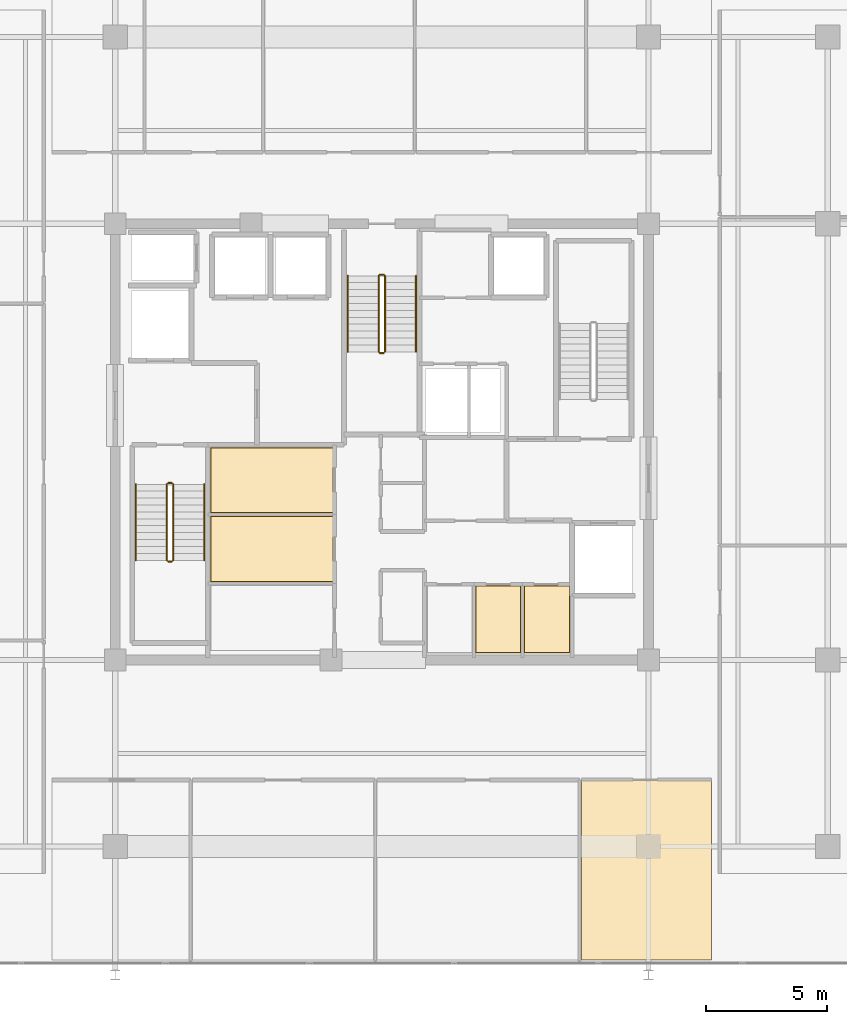
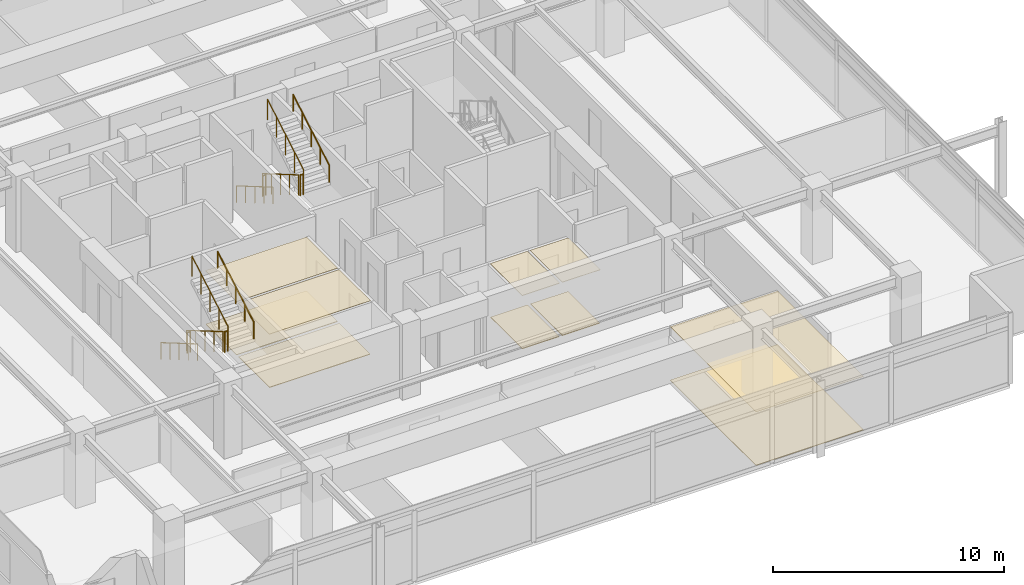
# One storey, part 18 of 20: 12 railings, 10 coverings.
"""IFC4 building model written with IfcOpenShell, lengths in metres."""

from ifc_helpers import new_model, si_unit, direction, frame, origin, origin_2d, place, context, subcontext, project, spatial, polyline, circle, outline, extrude, material, layer, layer_set, type_object, element, save


model = new_model("IFC4")

# Units and contexts
model_context = context("Model", 3, precision=1e-05, world=origin(), true_north=direction((0.0, 1.0)))
body_context = subcontext(model_context, "Body", "Model", "MODEL_VIEW")
ifc_project = project(units=[si_unit("LENGTHUNIT", "METRE"), si_unit("AREAUNIT", "SQUARE_METRE"), si_unit("VOLUMEUNIT", "CUBIC_METRE"), si_unit("PLANEANGLEUNIT", "RADIAN"), si_unit("MASSUNIT", "GRAM", prefix="KILO")], contexts=[model_context])

# Site, building, storey
site_placement = place(None, origin())
site = spatial("IfcSite", under=ifc_project, at=site_placement, CompositionType="ELEMENT")
building_placement = place(site_placement, origin())
building = spatial("IfcBuilding", under=site, at=building_placement, Name="Kovane Verandah Tower", CompositionType="ELEMENT")
storey_placement = place(building_placement, frame((0.0, 0.0, 330.800048828125)))
storey = spatial("IfcBuildingStorey", under=building, at=storey_placement, Name="L77", CompositionType="ELEMENT", Elevation=330.800048828125)

# Coverings
ifc_material_1 = material(Name="Perforated Acoustic Mineral-Fibre Ceiling Tile", Category="gypsum")
ifc_layer_1 = layer(ifc_material_1, 0.02490234375)
ifc_layer_set_1 = layer_set([ifc_layer_1], Name="Perforated Acoustic Mineral-Fibre Ceiling Tile")
covering_type_1 = type_object("IfcCoveringType", Name="CV-CEIL-25", PredefinedType="CEILING", material=ifc_layer_set_1)
covering_1_placement = place(storey_placement, frame((0.0, 0.0, 2.824951171875)))
element("IfcCovering", 1, at=covering_1_placement, inside=storey, type_object=covering_type_1, Name="L77 First Aid and Wellness Room Acoustic Ceiling", PredefinedType="CEILING", context=body_context, shape_type="SweptSolid", body=[
    extrude(outline(polyline([(32.93505859375, 21.72509765625), (37.9951171875, 21.72509765625), (37.9951171875, 24.43505859375), (32.93505859375, 24.43505859375), (32.93505859375, 21.72509765625)])), origin(), (0.0, 0.0, 1.0), 0.02490234375),
])
covering_2_placement = place(storey_placement, frame((0.0, 0.0, 2.824951171875)))
element("IfcCovering", 2, at=covering_2_placement, inside=storey, type_object=covering_type_1, Name="L77 Tea and Copy Hub Acoustic Ceiling", PredefinedType="CEILING", context=body_context, shape_type="SweptSolid", body=[
    extrude(outline(polyline([(32.93505859375, 24.56494140625), (37.9951171875, 24.56494140625), (37.9951171875, 27.264892578125), (32.93505859375, 27.264892578125), (32.93505859375, 24.56494140625)])), origin(), (0.0, 0.0, 1.0), 0.02490234375),
])
covering_3_placement = place(storey_placement, frame((0.0, 0.0, 2.824951171875)))
element("IfcCovering", 3, at=covering_3_placement, inside=storey, type_object=covering_type_1, Name="L77 First Aid Room Acoustic Ceiling", PredefinedType="CEILING", context=body_context, shape_type="SweptSolid", body=[
    extrude(outline(polyline([(43.864990234375, 18.784912109375), (45.735107421875, 18.784912109375), (45.735107421875, 21.56494140625), (43.864990234375, 21.56494140625), (43.864990234375, 18.784912109375)])), origin(), (0.0, 0.0, 1.0), 0.02490234375),
])
covering_4_placement = place(storey_placement, frame((0.0, 0.0, 2.824951171875)))
element("IfcCovering", 4, at=covering_4_placement, inside=storey, type_object=covering_type_1, Name="L77 Quiet Wellness Room Acoustic Ceiling", PredefinedType="CEILING", context=body_context, shape_type="SweptSolid", body=[
    extrude(outline(polyline([(45.864990234375, 18.784912109375), (47.764892578125, 18.784912109375), (47.764892578125, 21.56494140625), (45.864990234375, 21.56494140625), (45.864990234375, 18.784912109375)])), origin(), (0.0, 0.0, 1.0), 0.02490234375),
])
covering_5_placement = place(storey_placement, frame((0.0, 0.0, 2.824951171875)))
element("IfcCovering", 5, at=covering_5_placement, inside=storey, type_object=covering_type_1, Name="L77 Focus Studio S4 Acoustic Ceiling", PredefinedType="CEILING", context=body_context, shape_type="SweptSolid", body=[
    extrude(outline(polyline([(48.22998046875, 6.1318359375), (53.60009765625, 6.1318359375), (53.60009765625, 13.550048828125), (48.22998046875, 13.550048828125), (48.22998046875, 6.1318359375)])), origin(), (0.0, 0.0, 1.0), 0.02490234375),
])
ifc_material_2 = material(Name="Polished Terrazzo and Raised-Access Carpet Tile Finish", Category="concrete")
ifc_layer_2 = layer(ifc_material_2, 0.030029296875)
ifc_layer_set_2 = layer_set([ifc_layer_2], Name="Polished Terrazzo and Raised-Access Carpet Tile Finish")
covering_type_2 = type_object("IfcCoveringType", Name="CV-FLOR-30", PredefinedType="FLOORING", material=ifc_layer_set_2)
covering_6_placement = place(storey_placement, origin())
element("IfcCovering", 6, at=covering_6_placement, inside=storey, type_object=covering_type_2, Name="L77 First Aid and Wellness Room Floor Finish", PredefinedType="FLOORING", context=body_context, shape_type="SweptSolid", body=[
    extrude(outline(polyline([(32.949951171875, 21.739990234375), (37.97998046875, 21.739990234375), (37.97998046875, 24.419921875), (32.949951171875, 24.419921875), (32.949951171875, 21.739990234375)])), origin(), (0.0, 0.0, 1.0), 0.030029296875),
])
covering_7_placement = place(storey_placement, origin())
element("IfcCovering", 7, at=covering_7_placement, inside=storey, type_object=covering_type_2, Name="L77 Tea and Copy Hub Floor Finish", PredefinedType="FLOORING", context=body_context, shape_type="SweptSolid", body=[
    extrude(outline(polyline([(32.949951171875, 24.580078125), (37.97998046875, 24.580078125), (37.97998046875, 27.25), (32.949951171875, 27.25), (32.949951171875, 24.580078125)])), origin(), (0.0, 0.0, 1.0), 0.030029296875),
])
covering_8_placement = place(storey_placement, origin())
element("IfcCovering", 8, at=covering_8_placement, inside=storey, type_object=covering_type_2, Name="L77 First Aid Room Floor Finish", PredefinedType="FLOORING", context=body_context, shape_type="SweptSolid", body=[
    extrude(outline(polyline([(43.8798828125, 18.800048828125), (45.719970703125, 18.800048828125), (45.719970703125, 21.550048828125), (43.8798828125, 21.550048828125), (43.8798828125, 18.800048828125)])), origin(), (0.0, 0.0, 1.0), 0.030029296875),
])
covering_9_placement = place(storey_placement, origin())
element("IfcCovering", 9, at=covering_9_placement, inside=storey, type_object=covering_type_2, Name="L77 Quiet Wellness Room Floor Finish", PredefinedType="FLOORING", context=body_context, shape_type="SweptSolid", body=[
    extrude(outline(polyline([(45.8798828125, 18.800048828125), (47.75, 18.800048828125), (47.75, 21.550048828125), (45.8798828125, 21.550048828125), (45.8798828125, 18.800048828125)])), origin(), (0.0, 0.0, 1.0), 0.030029296875),
])
covering_10_placement = place(storey_placement, origin())
element("IfcCovering", 10, at=covering_10_placement, inside=storey, type_object=covering_type_2, Name="L77 Focus Studio S4 Floor Finish", PredefinedType="FLOORING", context=body_context, shape_type="SweptSolid", body=[
    extrude(outline(polyline([(48.22998046875, 6.1318359375), (53.60009765625, 6.1318359375), (53.60009765625, 13.550048828125), (48.22998046875, 13.550048828125), (48.22998046875, 6.1318359375)])), origin(), (0.0, 0.0, 1.0), 0.030029296875),
])

# Railings
ifc_material_3 = material(Name="Brushed Stainless Steel Handrail", Category="steel")
railing_type_1 = type_object("IfcRailingType", Name="RL-HAND-920", PredefinedType="HANDRAIL", material=ifc_material_3)
railing_1_placement = place(storey_placement, frame((29.85009765625, 25.75, 0.16650390625)))
element("IfcRailing", 11, at=railing_1_placement, inside=storey, type_object=railing_type_1, Name="L77 ST-01 stair handrail 1", PredefinedType="HANDRAIL", context=body_context, shape_type="SweptSolid", body=[
    extrude(circle(Radius=0.02392578125, at=origin_2d()), frame((0.0, 0.0, 0.8759765625), z_axis=(0.0, -0.863210265497, 0.504844567704), x_axis=(1.0, 0.0, 0.0)), (0.0, 0.0, 1.0), 3.6318359375),
    extrude(circle(Radius=0.02099609375, at=origin_2d()), origin(), (0.0, 0.0, 1.0), 0.851806640625),
    extrude(circle(Radius=0.02099609375, at=origin_2d()), frame((0.0, -0.78369140625, 0.45849609375)), (0.0, 0.0, 1.0), 0.851806640625),
    extrude(circle(Radius=0.02099609375, at=origin_2d()), frame((0.0, -1.5673828125, 0.916748046875)), (0.0, 0.0, 1.0), 0.851806640625),
    extrude(circle(Radius=0.02099609375, at=origin_2d()), frame((0.0, -2.351318359375, 1.375)), (0.0, 0.0, 1.0), 0.851806640625),
    extrude(circle(Radius=0.02099609375, at=origin_2d()), frame((0.0, -3.135009765625, 1.83349609375)), (0.0, 0.0, 1.0), 0.851806640625),
])
railing_2_placement = place(storey_placement, frame((32.669921875, 22.614990234375, 2.16650390625)))
element("IfcRailing", 12, at=railing_2_placement, inside=storey, type_object=railing_type_1, Name="L77 ST-01 stair handrail 2", PredefinedType="HANDRAIL", context=body_context, shape_type="SweptSolid", body=[
    extrude(circle(Radius=0.02392578125, at=origin_2d()), frame((0.0, 0.0, 0.8759765625), z_axis=(0.0, 0.863210265497, 0.504844567704), x_axis=(-1.0, 0.0, 0.0)), (0.0, 0.0, 1.0), 3.6318359375),
    extrude(circle(Radius=0.02099609375, at=origin_2d()), origin(), (0.0, 0.0, 1.0), 0.851806640625),
    extrude(circle(Radius=0.02099609375, at=origin_2d()), frame((0.0, 0.78369140625, 0.45849609375)), (0.0, 0.0, 1.0), 0.851806640625),
    extrude(circle(Radius=0.02099609375, at=origin_2d()), frame((0.0, 1.5673828125, 0.916748046875)), (0.0, 0.0, 1.0), 0.851806640625),
    extrude(circle(Radius=0.02099609375, at=origin_2d()), frame((0.0, 2.351318359375, 1.375)), (0.0, 0.0, 1.0), 0.851806640625),
    extrude(circle(Radius=0.02099609375, at=origin_2d()), frame((0.0, 3.135009765625, 1.83349609375)), (0.0, 0.0, 1.0), 0.851806640625),
])
railing_3_placement = place(storey_placement, frame((38.590087890625, 34.35009765625, 0.16650390625)))
element("IfcRailing", 13, at=railing_3_placement, inside=storey, type_object=railing_type_1, Name="L77 ST-03 stair handrail 1", PredefinedType="HANDRAIL", context=body_context, shape_type="SweptSolid", body=[
    extrude(circle(Radius=0.02392578125, at=origin_2d()), frame((0.0, 0.0, 0.8759765625), z_axis=(0.0, -0.863210265497, 0.504844567704), x_axis=(1.0, 0.0, 0.0)), (0.0, 0.0, 1.0), 3.6318359375),
    extrude(circle(Radius=0.02099609375, at=origin_2d()), origin(), (0.0, 0.0, 1.0), 0.851806640625),
    extrude(circle(Radius=0.02099609375, at=origin_2d()), frame((0.0, -0.78369140625, 0.45849609375)), (0.0, 0.0, 1.0), 0.851806640625),
    extrude(circle(Radius=0.02099609375, at=origin_2d()), frame((0.0, -1.5673828125, 0.916748046875)), (0.0, 0.0, 1.0), 0.851806640625),
    extrude(circle(Radius=0.02099609375, at=origin_2d()), frame((0.0, -2.351318359375, 1.375)), (0.0, 0.0, 1.0), 0.851806640625),
    extrude(circle(Radius=0.02099609375, at=origin_2d()), frame((0.0, -3.135009765625, 1.83349609375)), (0.0, 0.0, 1.0), 0.851806640625),
])
railing_4_placement = place(storey_placement, frame((41.409912109375, 31.215087890625, 2.16650390625)))
element("IfcRailing", 14, at=railing_4_placement, inside=storey, type_object=railing_type_1, Name="L77 ST-03 stair handrail 2", PredefinedType="HANDRAIL", context=body_context, shape_type="SweptSolid", body=[
    extrude(circle(Radius=0.02392578125, at=origin_2d()), frame((0.0, 0.0, 0.8759765625), z_axis=(0.0, 0.863210265497, 0.504844567704), x_axis=(-1.0, 0.0, 0.0)), (0.0, 0.0, 1.0), 3.6318359375),
    extrude(circle(Radius=0.02099609375, at=origin_2d()), origin(), (0.0, 0.0, 1.0), 0.851806640625),
    extrude(circle(Radius=0.02099609375, at=origin_2d()), frame((0.0, 0.78369140625, 0.45849609375)), (0.0, 0.0, 1.0), 0.851806640625),
    extrude(circle(Radius=0.02099609375, at=origin_2d()), frame((0.0, 1.5673828125, 0.916748046875)), (0.0, 0.0, 1.0), 0.851806640625),
    extrude(circle(Radius=0.02099609375, at=origin_2d()), frame((0.0, 2.351318359375, 1.375)), (0.0, 0.0, 1.0), 0.851806640625),
    extrude(circle(Radius=0.02099609375, at=origin_2d()), frame((0.0, 3.135009765625, 1.83349609375)), (0.0, 0.0, 1.0), 0.851806640625),
])
ifc_material_4 = material(Name="Painted Steel Stairwell Guardrail", Category="steel")
railing_type_2 = type_object("IfcRailingType", Name="RL-STGUARD-1120", PredefinedType="GUARDRAIL", material=ifc_material_4)
railing_5_placement = place(storey_placement, frame((31.1298828125, 25.75, 0.16650390625)))
element("IfcRailing", 15, at=railing_5_placement, inside=storey, type_object=railing_type_2, Name="L77 ST-01 stair guard 1", PredefinedType="GUARDRAIL", context=body_context, shape_type="SweptSolid", body=[
    extrude(circle(Radius=0.02392578125, at=origin_2d()), frame((0.0, 0.0, 1.076171875), z_axis=(0.0, -0.863210265497, 0.504844567704), x_axis=(1.0, 0.0, 0.0)), (0.0, 0.0, 1.0), 3.6318359375),
    extrude(circle(Radius=0.02099609375, at=origin_2d()), origin(), (0.0, 0.0, 1.0), 1.052001953125),
    extrude(circle(Radius=0.02099609375, at=origin_2d()), frame((0.0, -0.78369140625, 0.45849609375)), (0.0, 0.0, 1.0), 1.052001953125),
    extrude(circle(Radius=0.02099609375, at=origin_2d()), frame((0.0, -1.5673828125, 0.916748046875)), (0.0, 0.0, 1.0), 1.052001953125),
    extrude(circle(Radius=0.02099609375, at=origin_2d()), frame((0.0, -2.351318359375, 1.375)), (0.0, 0.0, 1.0), 1.052001953125),
    extrude(circle(Radius=0.02099609375, at=origin_2d()), frame((0.0, -3.135009765625, 1.83349609375)), (0.0, 0.0, 1.0), 1.052001953125),
])
railing_6_placement = place(storey_placement, frame((31.179931640625, 22.56494140625, 2.0)))
element("IfcRailing", 16, at=railing_6_placement, inside=storey, type_object=railing_type_2, Name="L77 ST-01 stair guard 2", PredefinedType="GUARDRAIL", context=body_context, shape_type="SweptSolid", body=[
    extrude(circle(Radius=0.02392578125, at=origin_2d()), frame((0.0, 0.0, 1.076171875), z_axis=(1.0, 0.0, 0.0), x_axis=(0.0, 1.0, 0.0)), (0.0, 0.0, 1.0), 0.16015625),
    extrude(circle(Radius=0.02099609375, at=origin_2d()), origin(), (0.0, 0.0, 1.0), 1.052001953125),
    extrude(circle(Radius=0.02099609375, at=origin_2d()), frame((0.16015625, 0.0, 0.0)), (0.0, 0.0, 1.0), 1.052001953125),
])
railing_7_placement = place(storey_placement, frame((31.389892578125, 22.614990234375, 2.16650390625)))
element("IfcRailing", 17, at=railing_7_placement, inside=storey, type_object=railing_type_2, Name="L77 ST-01 stair guard 3", PredefinedType="GUARDRAIL", context=body_context, shape_type="SweptSolid", body=[
    extrude(circle(Radius=0.02392578125, at=origin_2d()), frame((0.0, 0.0, 1.076171875), z_axis=(0.0, 0.863210265497, 0.504844567704), x_axis=(-1.0, 0.0, 0.0)), (0.0, 0.0, 1.0), 3.6318359375),
    extrude(circle(Radius=0.02099609375, at=origin_2d()), origin(), (0.0, 0.0, 1.0), 1.052001953125),
    extrude(circle(Radius=0.02099609375, at=origin_2d()), frame((0.0, 0.78369140625, 0.45849609375)), (0.0, 0.0, 1.0), 1.052001953125),
    extrude(circle(Radius=0.02099609375, at=origin_2d()), frame((0.0, 1.5673828125, 0.916748046875)), (0.0, 0.0, 1.0), 1.052001953125),
    extrude(circle(Radius=0.02099609375, at=origin_2d()), frame((0.0, 2.351318359375, 1.375)), (0.0, 0.0, 1.0), 1.052001953125),
    extrude(circle(Radius=0.02099609375, at=origin_2d()), frame((0.0, 3.135009765625, 1.83349609375)), (0.0, 0.0, 1.0), 1.052001953125),
])
railing_8_placement = place(storey_placement, frame((31.179931640625, 25.800048828125, 0.0)))
element("IfcRailing", 18, at=railing_8_placement, inside=storey, type_object=railing_type_2, Name="L77 ST-01 stair guard 4", PredefinedType="GUARDRAIL", context=body_context, shape_type="SweptSolid", body=[
    extrude(circle(Radius=0.02392578125, at=origin_2d()), frame((0.0, 0.0, 1.076171875), z_axis=(1.0, 0.0, 0.0), x_axis=(0.0, 1.0, 0.0)), (0.0, 0.0, 1.0), 0.16015625),
    extrude(circle(Radius=0.02099609375, at=origin_2d()), origin(), (0.0, 0.0, 1.0), 1.052001953125),
    extrude(circle(Radius=0.02099609375, at=origin_2d()), frame((0.16015625, 0.0, 0.0)), (0.0, 0.0, 1.0), 1.052001953125),
])
railing_9_placement = place(storey_placement, frame((39.8701171875, 34.35009765625, 0.16650390625)))
element("IfcRailing", 19, at=railing_9_placement, inside=storey, type_object=railing_type_2, Name="L77 ST-03 stair guard 1", PredefinedType="GUARDRAIL", context=body_context, shape_type="SweptSolid", body=[
    extrude(circle(Radius=0.02392578125, at=origin_2d()), frame((0.0, 0.0, 1.076171875), z_axis=(0.0, -0.863210265497, 0.504844567704), x_axis=(1.0, 0.0, 0.0)), (0.0, 0.0, 1.0), 3.6318359375),
    extrude(circle(Radius=0.02099609375, at=origin_2d()), origin(), (0.0, 0.0, 1.0), 1.052001953125),
    extrude(circle(Radius=0.02099609375, at=origin_2d()), frame((0.0, -0.78369140625, 0.45849609375)), (0.0, 0.0, 1.0), 1.052001953125),
    extrude(circle(Radius=0.02099609375, at=origin_2d()), frame((0.0, -1.5673828125, 0.916748046875)), (0.0, 0.0, 1.0), 1.052001953125),
    extrude(circle(Radius=0.02099609375, at=origin_2d()), frame((0.0, -2.351318359375, 1.375)), (0.0, 0.0, 1.0), 1.052001953125),
    extrude(circle(Radius=0.02099609375, at=origin_2d()), frame((0.0, -3.135009765625, 1.83349609375)), (0.0, 0.0, 1.0), 1.052001953125),
])
railing_10_placement = place(storey_placement, frame((39.919921875, 31.1650390625, 2.0)))
element("IfcRailing", 20, at=railing_10_placement, inside=storey, type_object=railing_type_2, Name="L77 ST-03 stair guard 2", PredefinedType="GUARDRAIL", context=body_context, shape_type="SweptSolid", body=[
    extrude(circle(Radius=0.02392578125, at=origin_2d()), frame((0.0, 0.0, 1.076171875), z_axis=(1.0, 0.0, 0.0), x_axis=(0.0, 1.0, 0.0)), (0.0, 0.0, 1.0), 0.16015625),
    extrude(circle(Radius=0.02099609375, at=origin_2d()), origin(), (0.0, 0.0, 1.0), 1.052001953125),
    extrude(circle(Radius=0.02099609375, at=origin_2d()), frame((0.16015625, 0.0, 0.0)), (0.0, 0.0, 1.0), 1.052001953125),
])
railing_11_placement = place(storey_placement, frame((40.1298828125, 31.215087890625, 2.16650390625)))
element("IfcRailing", 21, at=railing_11_placement, inside=storey, type_object=railing_type_2, Name="L77 ST-03 stair guard 3", PredefinedType="GUARDRAIL", context=body_context, shape_type="SweptSolid", body=[
    extrude(circle(Radius=0.02392578125, at=origin_2d()), frame((0.0, 0.0, 1.076171875), z_axis=(0.0, 0.863210265497, 0.504844567704), x_axis=(-1.0, 0.0, 0.0)), (0.0, 0.0, 1.0), 3.6318359375),
    extrude(circle(Radius=0.02099609375, at=origin_2d()), origin(), (0.0, 0.0, 1.0), 1.052001953125),
    extrude(circle(Radius=0.02099609375, at=origin_2d()), frame((0.0, 0.78369140625, 0.45849609375)), (0.0, 0.0, 1.0), 1.052001953125),
    extrude(circle(Radius=0.02099609375, at=origin_2d()), frame((0.0, 1.5673828125, 0.916748046875)), (0.0, 0.0, 1.0), 1.052001953125),
    extrude(circle(Radius=0.02099609375, at=origin_2d()), frame((0.0, 2.351318359375, 1.375)), (0.0, 0.0, 1.0), 1.052001953125),
    extrude(circle(Radius=0.02099609375, at=origin_2d()), frame((0.0, 3.135009765625, 1.83349609375)), (0.0, 0.0, 1.0), 1.052001953125),
])
railing_12_placement = place(storey_placement, frame((39.919921875, 34.39990234375, 0.0)))
element("IfcRailing", 22, at=railing_12_placement, inside=storey, type_object=railing_type_2, Name="L77 ST-03 stair guard 4", PredefinedType="GUARDRAIL", context=body_context, shape_type="SweptSolid", body=[
    extrude(circle(Radius=0.02392578125, at=origin_2d()), frame((0.0, 0.0, 1.076171875), z_axis=(1.0, 0.0, 0.0), x_axis=(0.0, 1.0, 0.0)), (0.0, 0.0, 1.0), 0.16015625),
    extrude(circle(Radius=0.02099609375, at=origin_2d()), origin(), (0.0, 0.0, 1.0), 1.052001953125),
    extrude(circle(Radius=0.02099609375, at=origin_2d()), frame((0.16015625, 0.0, 0.0)), (0.0, 0.0, 1.0), 1.052001953125),
])

save(model, "model.ifc")
